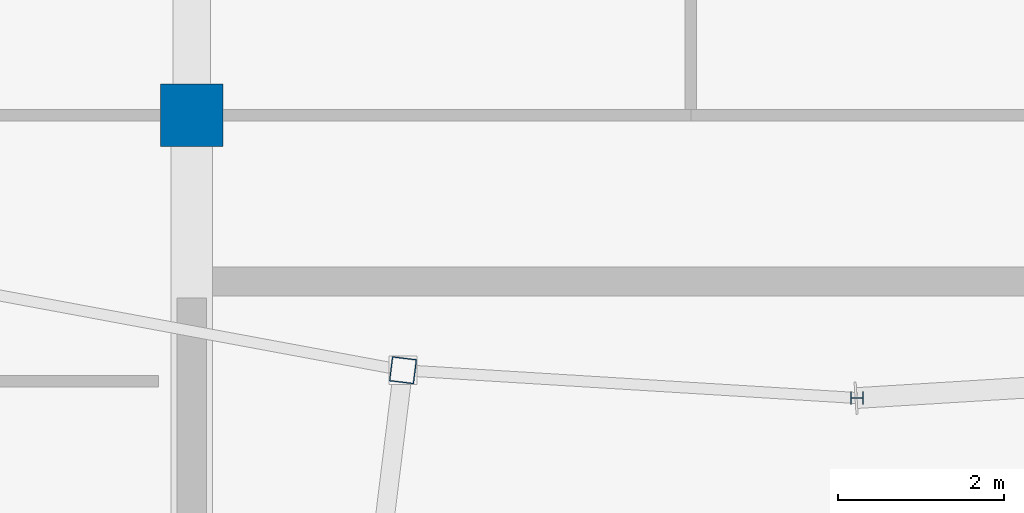
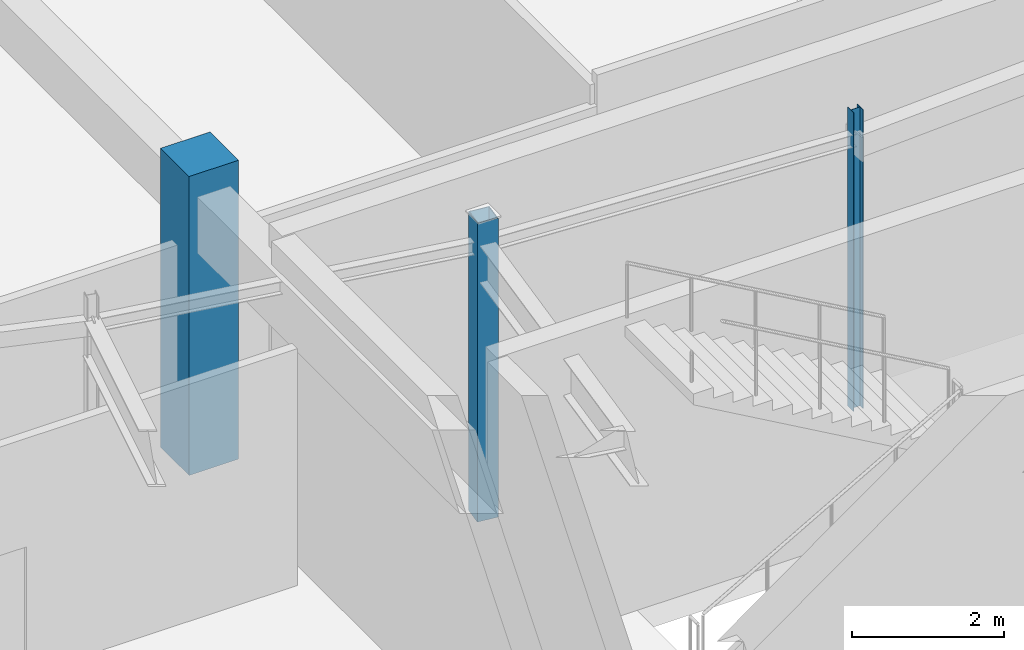
# One storey, part 8 of 186: 3 columns.
"""IFC4 building model written with IfcOpenShell, lengths in metres."""

from ifc_helpers import new_model, si_unit, direction, frame, origin, origin_2d, place, context, subcontext, project, spatial, rectangle, hollow_rectangle, i_section, extrude, material, material_profile, profile_set, type_object, element, save


model = new_model("IFC4")

# Units and contexts
model_context = context("Model", 3, precision=1e-05, world=origin(), true_north=direction((0.0, 1.0)))
body_context = subcontext(model_context, "Body", "Model", "MODEL_VIEW")
ifc_project = project(units=[si_unit("LENGTHUNIT", "METRE"), si_unit("AREAUNIT", "SQUARE_METRE"), si_unit("VOLUMEUNIT", "CUBIC_METRE"), si_unit("PLANEANGLEUNIT", "RADIAN"), si_unit("MASSUNIT", "GRAM", prefix="KILO")], contexts=[model_context])

# Site, building, storey
site_placement = place(None, origin())
site = spatial("IfcSite", under=ifc_project, at=site_placement, CompositionType="ELEMENT")
building_placement = place(site_placement, origin())
building = spatial("IfcBuilding", under=site, at=building_placement, Name="Tarnwether General Hospital", CompositionType="ELEMENT")
storey_placement = place(building_placement, frame((0.0, 0.0, 9.60009765625)))
storey = spatial("IfcBuildingStorey", under=building, at=storey_placement, Name="L02", CompositionType="ELEMENT", Elevation=9.60009765625)

# Columns
ifc_material_1 = material(Name="Concrete 50 MPa", Category="concrete")
ifc_material_profile_1 = material_profile(ifc_material_1, rectangle(XDim=0.75, YDim=0.75, at=origin_2d()), Name="RC-COL-750x750")
ifc_profile_set_1 = profile_set([ifc_material_profile_1], Name="Concrete 50 MPa")
column_type_1 = type_object("IfcColumnType", Name="COL-17", PredefinedType="COLUMN", material=ifc_profile_set_1)
column_1_placement = place(storey_placement, frame((84.0, 21.60009765625, 0.0), z_axis=(0.0, 0.0, 1.0), x_axis=(0.0, 1.0, 0.0)))
element("IfcColumn", 1, at=column_1_placement, inside=storey, type_object=column_type_1, Name="Column COLG-L02-8400_2160", PredefinedType="COLUMN", context=body_context, shape_type="SweptSolid", body=[
    extrude(rectangle(XDim=0.75, YDim=0.75, at=origin_2d()), origin(), (0.0, 0.0, 1.0), 4.7998046875),
])
ifc_material_2 = material(Name="Steel Grade C350L0 (350 MPa)", Category="steel")
ifc_material_profile_2 = material_profile(ifc_material_2, hollow_rectangle(XDim=0.300048828125, YDim=0.300048828125, WallThickness=0.012451171875, at=origin_2d()), Name="SHS300x300x12.5")
ifc_profile_set_2 = profile_set([ifc_material_profile_2], Name="Steel Grade C350L0 (350 MPa)")
column_type_2 = type_object("IfcColumnType", Name="COL-30", PredefinedType="COLUMN", material=ifc_profile_set_2)
column_2_placement = place(storey_placement, frame((86.5400390625, 18.533935546875, 0.0), z_axis=(0.0, 0.0, 1.0), x_axis=(0.121869343405, 0.992546151641, 0.0)))
element("IfcColumn", 2, at=column_2_placement, inside=storey, type_object=column_type_2, Name="Column COLG-L02-8654_1853", PredefinedType="COLUMN", context=body_context, shape_type="SweptSolid", body=[
    extrude(hollow_rectangle(XDim=0.300048828125, YDim=0.300048828125, WallThickness=0.012451171875, at=origin_2d()), origin(), (0.0, 0.0, 1.0), 4.7998046875),
])
ifc_material_3 = material(Name="Steel Grade 350 (350 MPa)", Category="steel")
ifc_material_profile_3 = material_profile(ifc_material_3, i_section(OverallWidth=0.152099609375, OverallDepth=0.152099609375, WebThickness=0.006103515625, FlangeThickness=0.0068359375, at=origin_2d()), Name="150UC23.4")
ifc_profile_set_3 = profile_set([ifc_material_profile_3], Name="Steel Grade 350 (350 MPa)")
column_type_3 = type_object("IfcColumnType", Name="COL-32", PredefinedType="COLUMN", material=ifc_profile_set_3)
column_3_placement = place(storey_placement, frame((92.0, 18.199951171875, 0.0), z_axis=(0.0, 0.0, 1.0), x_axis=(0.0, 1.0, 0.0)))
element("IfcColumn", 3, at=column_3_placement, inside=storey, type_object=column_type_3, Name="Column COLG-L02-9200_1820", PredefinedType="COLUMN", context=body_context, shape_type="SweptSolid", body=[
    extrude(i_section(OverallWidth=0.152099609375, OverallDepth=0.152099609375, WebThickness=0.006103515625, FlangeThickness=0.0068359375, at=origin_2d()), origin(), (0.0, 0.0, 1.0), 4.7998046875),
])

save(model, "model.ifc")
